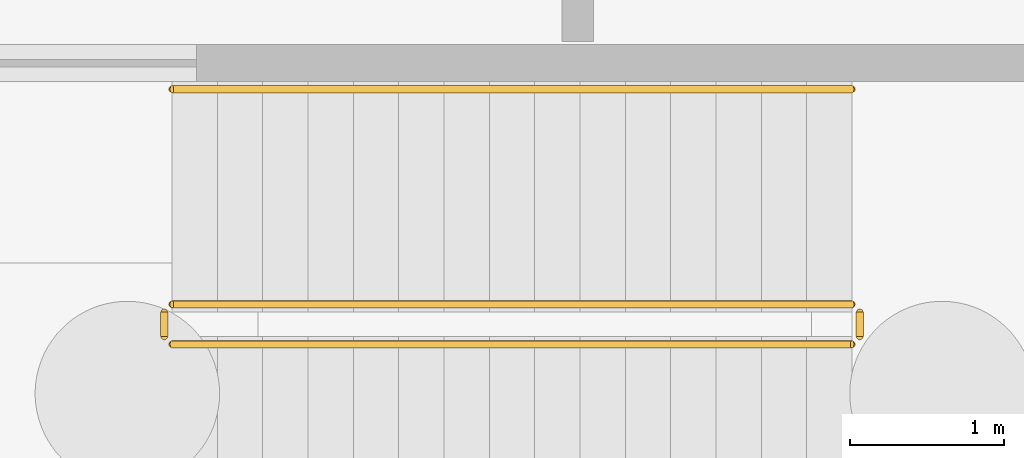
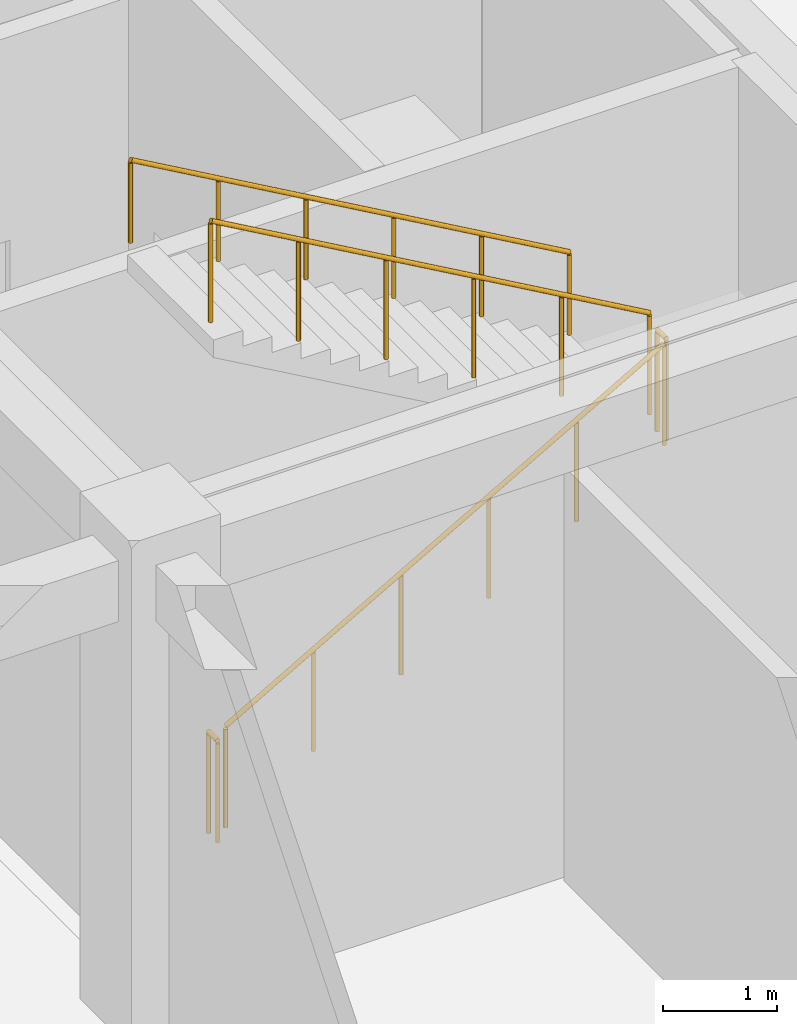
# One storey, part 61 of 65: 5 railings.
"""IFC4 building model written with IfcOpenShell, lengths in metres."""

from ifc_helpers import new_model, si_unit, direction, frame, origin, origin_2d, place, context, subcontext, project, spatial, circle, extrude, material, type_object, element, save


model = new_model("IFC4")

# Units and contexts
model_context = context("Model", 3, precision=1e-05, world=origin(), true_north=direction((0.0, 1.0)))
body_context = subcontext(model_context, "Body", "Model", "MODEL_VIEW")
ifc_project = project(units=[si_unit("LENGTHUNIT", "METRE"), si_unit("AREAUNIT", "SQUARE_METRE"), si_unit("VOLUMEUNIT", "CUBIC_METRE"), si_unit("PLANEANGLEUNIT", "RADIAN"), si_unit("MASSUNIT", "GRAM", prefix="KILO")], contexts=[model_context])

# Site, building, storey
site_placement = place(None, origin())
site = spatial("IfcSite", under=ifc_project, at=site_placement, CompositionType="ELEMENT")
building_placement = place(site_placement, origin())
building = spatial("IfcBuilding", under=site, at=building_placement, Name="Bramfleet General Hospital", CompositionType="ELEMENT")
storey_placement = place(building_placement, frame((0.0, 0.0, -5.39990234375)))
storey = spatial("IfcBuildingStorey", under=building, at=storey_placement, Name="B1", CompositionType="ELEMENT", Elevation=-5.39990234375)

# Railings
ifc_material_1 = material(Name="Powder-coated steel stair balustrade", Category="steel")
railing_type_1 = type_object("IfcRailingType", Name="RAIL-ST-GUARD", PredefinedType="GUARDRAIL", material=ifc_material_1)
railing_1_placement = place(storey_placement, frame((119.43994140625, 94.27001953125, 0.168701171875)))
element("IfcRailing", 1, at=railing_1_placement, inside=storey, type_object=railing_type_1, Name="B1 ST-C6 stair guard 1", PredefinedType="GUARDRAIL", context=body_context, shape_type="SweptSolid", body=[
    extrude(circle(Radius=0.02392578125, at=origin_2d()), frame((0.0, 0.0, 1.076171875), z_axis=(0.868019072493, 0.0, 0.49653085482), x_axis=(0.0, 1.0, 0.0)), (0.0, 0.0, 1.0), 5.097900390625),
    extrude(circle(Radius=0.02099609375, at=origin_2d()), origin(), (0.0, 0.0, 1.0), 1.052001953125),
    extrude(circle(Radius=0.02099609375, at=origin_2d()), frame((0.885009765625, 0.0, 0.50634765625)), (0.0, 0.0, 1.0), 1.052001953125),
    extrude(circle(Radius=0.02099609375, at=origin_2d()), frame((1.77001953125, 0.0, 1.012451171875)), (0.0, 0.0, 1.0), 1.052001953125),
    extrude(circle(Radius=0.02099609375, at=origin_2d()), frame((2.655029296875, 0.0, 1.518798828125)), (0.0, 0.0, 1.0), 1.052001953125),
    extrude(circle(Radius=0.02099609375, at=origin_2d()), frame((3.5400390625, 0.0, 2.02490234375)), (0.0, 0.0, 1.0), 1.052001953125),
    extrude(circle(Radius=0.02099609375, at=origin_2d()), frame((4.425048828125, 0.0, 2.53125)), (0.0, 0.0, 1.0), 1.052001953125),
])
railing_2_placement = place(storey_placement, frame((123.9150390625, 94.320068359375, 2.699951171875)))
element("IfcRailing", 2, at=railing_2_placement, inside=storey, type_object=railing_type_1, Name="B1 ST-C6 stair guard 2", PredefinedType="GUARDRAIL", context=body_context, shape_type="SweptSolid", body=[
    extrude(circle(Radius=0.02392578125, at=origin_2d()), frame((0.0, 0.0, 1.076171875), z_axis=(0.0, 1.0, 0.0), x_axis=(-1.0, 0.0, 0.0)), (0.0, 0.0, 1.0), 0.159912109375),
    extrude(circle(Radius=0.02099609375, at=origin_2d()), origin(), (0.0, 0.0, 1.0), 1.052001953125),
    extrude(circle(Radius=0.02099609375, at=origin_2d()), frame((0.0, 0.159912109375, 0.0)), (0.0, 0.0, 1.0), 1.052001953125),
])
railing_3_placement = place(storey_placement, frame((123.864990234375, 94.530029296875, 2.86865234375)))
element("IfcRailing", 3, at=railing_3_placement, inside=storey, type_object=railing_type_1, Name="B1 ST-C6 stair guard 3", PredefinedType="GUARDRAIL", context=body_context, shape_type="SweptSolid", body=[
    extrude(circle(Radius=0.02392578125, at=origin_2d()), frame((0.0, 0.0, 1.076171875), z_axis=(-0.868019072493, 0.0, 0.49653085482), x_axis=(0.0, -1.0, 0.0)), (0.0, 0.0, 1.0), 5.097900390625),
    extrude(circle(Radius=0.02099609375, at=origin_2d()), origin(), (0.0, 0.0, 1.0), 1.052001953125),
    extrude(circle(Radius=0.02099609375, at=origin_2d()), frame((-0.885009765625, 0.0, 0.50634765625)), (0.0, 0.0, 1.0), 1.052001953125),
    extrude(circle(Radius=0.02099609375, at=origin_2d()), frame((-1.77001953125, 0.0, 1.012451171875)), (0.0, 0.0, 1.0), 1.052001953125),
    extrude(circle(Radius=0.02099609375, at=origin_2d()), frame((-2.655029296875, 0.0, 1.518798828125)), (0.0, 0.0, 1.0), 1.052001953125),
    extrude(circle(Radius=0.02099609375, at=origin_2d()), frame((-3.5400390625, 0.0, 2.02490234375)), (0.0, 0.0, 1.0), 1.052001953125),
    extrude(circle(Radius=0.02099609375, at=origin_2d()), frame((-4.425048828125, 0.0, 2.53125)), (0.0, 0.0, 1.0), 1.052001953125),
])
railing_4_placement = place(storey_placement, frame((119.389892578125, 94.320068359375, 0.0)))
element("IfcRailing", 4, at=railing_4_placement, inside=storey, type_object=railing_type_1, Name="B1 ST-C6 stair guard 4", PredefinedType="GUARDRAIL", context=body_context, shape_type="SweptSolid", body=[
    extrude(circle(Radius=0.02392578125, at=origin_2d()), frame((0.0, 0.0, 1.076171875), z_axis=(0.0, 1.0, 0.0), x_axis=(-1.0, 0.0, 0.0)), (0.0, 0.0, 1.0), 0.159912109375),
    extrude(circle(Radius=0.02099609375, at=origin_2d()), origin(), (0.0, 0.0, 1.0), 1.052001953125),
    extrude(circle(Radius=0.02099609375, at=origin_2d()), frame((0.0, 0.159912109375, 0.0)), (0.0, 0.0, 1.0), 1.052001953125),
])
ifc_material_2 = material(Name="Stainless steel 1.4301 stair handrail", Category="steel")
railing_type_2 = type_object("IfcRailingType", Name="RAIL-ST-HND", PredefinedType="HANDRAIL", material=ifc_material_2)
railing_5_placement = place(storey_placement, frame((123.864990234375, 95.929931640625, 2.86865234375)))
element("IfcRailing", 5, at=railing_5_placement, inside=storey, type_object=railing_type_2, Name="B1 ST-C6 stair handrail 2", PredefinedType="HANDRAIL", context=body_context, shape_type="SweptSolid", body=[
    extrude(circle(Radius=0.02392578125, at=origin_2d()), frame((0.0, 0.0, 0.8759765625), z_axis=(-0.868019072493, 0.0, 0.49653085482), x_axis=(0.0, -1.0, 0.0)), (0.0, 0.0, 1.0), 5.097900390625),
    extrude(circle(Radius=0.02099609375, at=origin_2d()), origin(), (0.0, 0.0, 1.0), 0.851806640625),
    extrude(circle(Radius=0.02099609375, at=origin_2d()), frame((-0.885009765625, 0.0, 0.50634765625)), (0.0, 0.0, 1.0), 0.851806640625),
    extrude(circle(Radius=0.02099609375, at=origin_2d()), frame((-1.77001953125, 0.0, 1.012451171875)), (0.0, 0.0, 1.0), 0.851806640625),
    extrude(circle(Radius=0.02099609375, at=origin_2d()), frame((-2.655029296875, 0.0, 1.518798828125)), (0.0, 0.0, 1.0), 0.851806640625),
    extrude(circle(Radius=0.02099609375, at=origin_2d()), frame((-3.5400390625, 0.0, 2.02490234375)), (0.0, 0.0, 1.0), 0.851806640625),
    extrude(circle(Radius=0.02099609375, at=origin_2d()), frame((-4.425048828125, 0.0, 2.53125)), (0.0, 0.0, 1.0), 0.851806640625),
])

save(model, "model.ifc")
